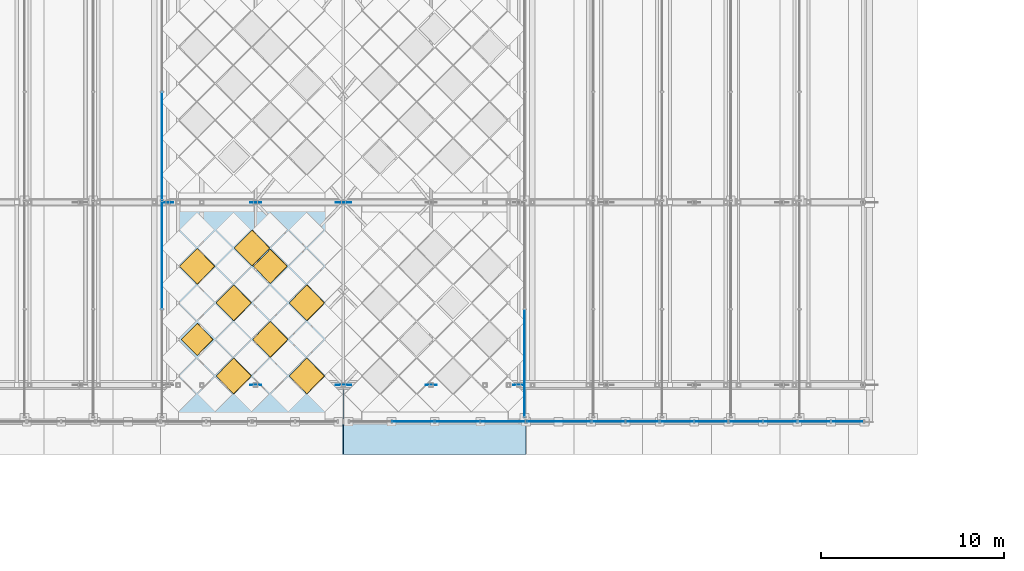
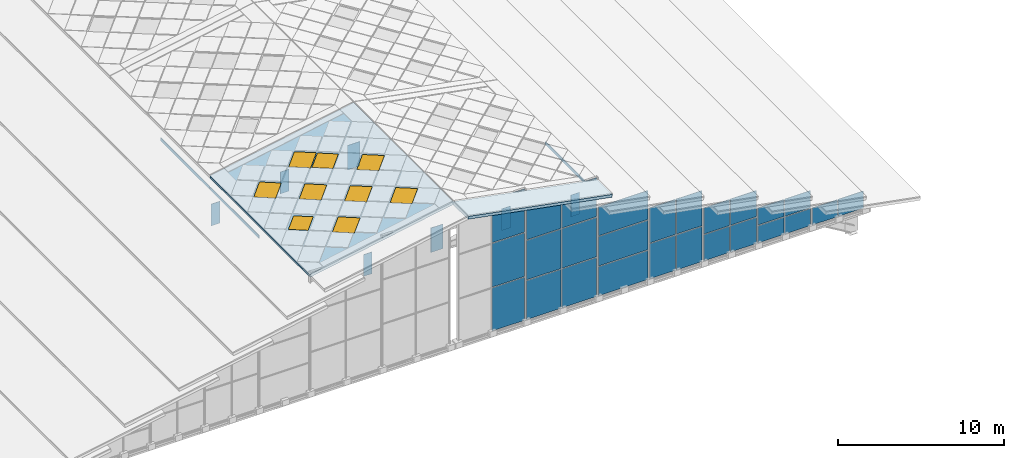
# One storey, part 86 of 117: 36 plates, 9 windows, 2 slabs, 9 openings, 9 elements without a shape of their own.
"""IFC4 building model written with IfcOpenShell, lengths in metres."""

import ifcopenshell
import ifcopenshell.guid

model = None  # the IFC model being written
_history = None  # IfcOwnerHistory: only IFC2X3 demands one
_inside = {}  # id of a spatial element -> (the spatial element, [elements in it])
_under = {}  # id of a project, library or spatial element -> (it, [spatial elements below it])
_declared = {}  # id of a project -> (the project, [libraries it declares])
_typed = {}  # id of a type object -> (the type object, [elements of that type])
_made_of = {}  # id of a material, layer set ... -> (it, [elements and type objects made of it])


def new_model(schema):
    """Start an empty IFC model of exactly this schema.

    Asked for "IFC4X3", IfcOpenShell would pick the latest addendum, in which some entities
    have other attributes; the version numbers below select the first issue.
    IFC2X3 requires an IfcOwnerHistory on every rooted entity: one is made here for all.
    """
    global model, _history
    if schema == "IFC4X3":
        model = ifcopenshell.file(schema_version=(4, 3, 0, 0))
    else:
        model = ifcopenshell.file(schema=schema)
    _inside.clear()
    _under.clear()
    _declared.clear()
    _typed.clear()
    _made_of.clear()
    _history = None
    if model.schema == "IFC2X3":
        org = make("IfcOrganization", Name="unknown")
        user = make(
            "IfcPersonAndOrganization",
            ThePerson=make("IfcPerson", FamilyName="unknown"),
            TheOrganization=org,
        )
        app = make(
            "IfcApplication",
            ApplicationDeveloper=org,
            Version="unknown",
            ApplicationFullName="unknown",
            ApplicationIdentifier="unknown",
        )
        _history = make(
            "IfcOwnerHistory",
            OwningUser=user,
            OwningApplication=app,
            ChangeAction="ADDED",
            CreationDate=0,
        )
    return model


def make(cls, **values):
    """One entity of the class cls with the attributes given. An attribute that is None is left unset."""
    return model.create_entity(
        cls, **{name: value for name, value in values.items() if value is not None}
    )


def rooted(cls, **values):
    """An entity with a GlobalId (a new one), such as an element, a storey or a relation."""
    return make(cls, GlobalId=ifcopenshell.guid.new(), OwnerHistory=_history, **values)


def si_unit(unit_type, name, prefix=None):
    """IfcSIUnit, for example si_unit("LENGTHUNIT", "METRE", prefix="MILLI")."""
    return make("IfcSIUnit", UnitType=unit_type, Prefix=prefix, Name=name)


def assignment(units):
    """IfcUnitAssignment: the units of a project."""
    return None if units is None else make("IfcUnitAssignment", Units=units)


def point(xyz):
    """IfcCartesianPoint."""
    return None if xyz is None else make("IfcCartesianPoint", Coordinates=xyz)


def direction(xyz):
    """IfcDirection."""
    return None if xyz is None else make("IfcDirection", DirectionRatios=xyz)


def frame(location, z_axis=None, x_axis=None):
    """IfcAxis2Placement3D, a coordinate frame: its origin and axes. An axis left out is left unset."""
    return make(
        "IfcAxis2Placement3D",
        Location=point(location),
        Axis=direction(z_axis),
        RefDirection=direction(x_axis),
    )


def frame_2d(location, x_axis=None):
    """IfcAxis2Placement2D, a coordinate frame in the plane: its origin and x axis."""
    return make(
        "IfcAxis2Placement2D", Location=point(location), RefDirection=direction(x_axis)
    )


def origin():
    """The frame at (0, 0, 0) with its axes left unset."""
    return frame((0.0, 0.0, 0.0))


def origin_2d():
    """The frame at (0, 0) in the plane with its x axis left unset."""
    return frame_2d((0.0, 0.0))


def place(relative_to, where):
    """IfcLocalPlacement: puts the frame where relative to a parent placement (None: the world)."""
    return make(
        "IfcLocalPlacement", PlacementRelTo=relative_to, RelativePlacement=where
    )


def context(
    kind, dimensions, precision=None, world=None, true_north=None, identifier=None
):
    """IfcGeometricRepresentationContext, for example the 3D "Model" context."""
    return make(
        "IfcGeometricRepresentationContext",
        ContextIdentifier=identifier,
        ContextType=kind,
        CoordinateSpaceDimension=dimensions,
        Precision=precision,
        WorldCoordinateSystem=world,
        TrueNorth=true_north,
    )


def subcontext(parent, identifier, kind, view, scale=None):
    """IfcGeometricRepresentationSubContext, for example "Body" below "Model"."""
    return make(
        "IfcGeometricRepresentationSubContext",
        ContextIdentifier=identifier,
        ContextType=kind,
        ParentContext=parent,
        TargetScale=scale,
        TargetView=view,
    )


def project(units=None, contexts=None):
    """IfcProject with its units and contexts."""
    return rooted(
        "IfcProject",
        Name="project",
        RepresentationContexts=contexts,
        UnitsInContext=assignment(units),
    )


def spatial(cls, under=None, at=None, **own):
    """A site, building, storey or space (cls), placed at a placement, below another one or the project."""
    s = rooted(cls, ObjectPlacement=at, **own)
    if under is not None:
        _under.setdefault(under.id(), (under, []))[1].append(s)
    return s


def polyline(points):
    """IfcPolyline through the points."""
    return make("IfcPolyline", Points=[point(p) for p in points])


def profile(cls, at=None, kind="AREA", **sizes):
    """A parametric profile (cls). Its sizes go by their IFC names, for example OverallWidth=200.0."""
    return make(cls, ProfileType=kind, Position=at, **sizes)


def rectangle(**sizes):
    """IfcRectangleProfileDef."""
    return profile("IfcRectangleProfileDef", **sizes)


def outline(outer, holes=None, kind="AREA"):
    """IfcArbitraryClosedProfileDef: a profile drawn as a closed curve; with holes, ...WithVoids."""
    if holes is None:
        return make("IfcArbitraryClosedProfileDef", ProfileType=kind, OuterCurve=outer)
    return make(
        "IfcArbitraryProfileDefWithVoids",
        ProfileType=kind,
        OuterCurve=outer,
        InnerCurves=holes,
    )


def extrude(swept, where, along, depth):
    """IfcExtrudedAreaSolid: the profile swept, set in the frame where, extruded along a direction by depth."""
    return make(
        "IfcExtrudedAreaSolid",
        SweptArea=swept,
        Position=where,
        ExtrudedDirection=direction(along),
        Depth=depth,
    )


def shape(context_of_items, identifier, shape_type, items):
    """IfcShapeRepresentation: the items that make up one representation, for example the "Body"."""
    return make(
        "IfcShapeRepresentation",
        ContextOfItems=context_of_items,
        RepresentationIdentifier=identifier,
        RepresentationType=shape_type,
        Items=items,
    )


def material(Name=None, Category=None):
    """IfcMaterial."""
    return make("IfcMaterial", Name=Name, Category=Category)


def layer(
    of_material, thickness, ventilated=None, Name=None, Category=None, Priority=None
):
    """IfcMaterialLayer: one layer of a wall or slab, of a material (None: an air gap)."""
    return make(
        "IfcMaterialLayer",
        Material=of_material,
        LayerThickness=thickness,
        IsVentilated=ventilated,
        Name=Name,
        Category=Category,
        Priority=Priority,
    )


def layer_set(layers, Name=None):
    """IfcMaterialLayerSet."""
    return make("IfcMaterialLayerSet", MaterialLayers=layers, LayerSetName=Name)


def made_of(thing, what):
    """Note that an element or type object is made of a material, layer set ...; save() writes the relation."""
    if what is not None:
        _made_of.setdefault(what.id(), (what, []))[1].append(thing)
    return thing


def type_object(cls, material=None, **own):
    """A type object (cls), such as IfcWallType, which elements share."""
    return made_of(rooted(cls, **own), material)


def element(
    cls,
    number,
    at=None,
    inside=None,
    cuts=None,
    type_object=None,
    material=None,
    context=None,
    identifier="Body",
    shape_type=None,
    held_by="IfcProductDefinitionShape",
    body=None,
    shapes=None,
    **own,
):
    """One element of the class cls, such as IfcWall. Its Tag is "e" and its number.

    at: its placement. inside: the storey or other place that contains it. cuts: it is an
    opening in that element (IfcRelVoidsElement). A single representation is given by context,
    identifier, shape_type and body (its items); several are given by shapes. held_by: the class
    of the entity that holds the representations. save() writes the other relations.
    """
    e = rooted(cls, Tag="e%d" % number, ObjectPlacement=at, **own)
    if body is not None:
        shapes = [shape(context, identifier, shape_type, body)]
    if shapes is not None:
        e.Representation = make(held_by, Representations=shapes)
    if inside is not None:
        _inside.setdefault(inside.id(), (inside, []))[1].append(e)
    if cuts is not None:
        rooted(
            "IfcRelVoidsElement", RelatingBuildingElement=cuts, RelatedOpeningElement=e
        )
    if type_object is not None:
        _typed.setdefault(type_object.id(), (type_object, []))[1].append(e)
    return made_of(e, material)


def fill(opening, filler):
    """IfcRelFillsElement: the door or window that sits in an opening."""
    return rooted(
        "IfcRelFillsElement",
        RelatingOpeningElement=opening,
        RelatedBuildingElement=filler,
    )


def aggregate(whole, parts):
    """IfcRelAggregates: a whole, such as a stair, and the parts it consists of."""
    return rooted("IfcRelAggregates", RelatingObject=whole, RelatedObjects=parts)


def save(model, path):
    """Write the relations noted so far, then the file.

    IfcRelAggregates (storeys below a building ...), IfcRelContainedInSpatialStructure (elements
    in a storey), IfcRelDefinesByType, IfcRelAssociatesMaterial and IfcRelDeclares: one each for
    every whole, place, type object, material and project.
    """
    for whole, parts in _under.values():
        aggregate(whole, parts)
    for where, things in _inside.values():
        rooted(
            "IfcRelContainedInSpatialStructure",
            RelatedElements=things,
            RelatingStructure=where,
        )
    for kind, things in _typed.values():
        rooted("IfcRelDefinesByType", RelatedObjects=things, RelatingType=kind)
    for what, things in _made_of.values():
        rooted("IfcRelAssociatesMaterial", RelatedObjects=things, RelatingMaterial=what)
    for by, libraries in _declared.values():
        rooted("IfcRelDeclares", RelatingContext=by, RelatedDefinitions=libraries)
    model.write(path)


model = new_model("IFC4")

# Units and contexts
model_context = context("Model", 3, precision=1e-05, world=origin(), true_north=direction((0.0, 1.0)))
body_context = subcontext(model_context, "Body", "Model", "MODEL_VIEW")
ifc_project = project(units=[si_unit("LENGTHUNIT", "METRE"), si_unit("AREAUNIT", "SQUARE_METRE"), si_unit("VOLUMEUNIT", "CUBIC_METRE"), si_unit("PLANEANGLEUNIT", "RADIAN"), si_unit("MASSUNIT", "GRAM", prefix="KILO")], contexts=[model_context])

# Site, building, storey
site_placement = place(None, origin())
site = spatial("IfcSite", under=ifc_project, at=site_placement, CompositionType="ELEMENT")
building_placement = place(site_placement, origin())
building = spatial("IfcBuilding", under=site, at=building_placement, Name="Merenkruunu Market Hall", CompositionType="ELEMENT")
storey_placement = place(building_placement, frame((0.0, 0.0, 22.800048828125)))
storey = spatial("IfcBuildingStorey", under=building, at=storey_placement, Name="RF", CompositionType="ELEMENT", Elevation=22.800048828125)

# Curtain wall, plates
ifc_material_1 = material(Name="Powder-coated aluminium", Category="aluminium")
curtain_wall_type_1 = type_object("IfcCurtainWallType", Name="Glazed Curtain Wall CW18", PredefinedType="USERDEFINED", material=ifc_material_1)
curtain_wall_1_placement = place(storey_placement, origin())
curtain_wall_1 = element("IfcCurtainWall", 1, at=curtain_wall_1_placement, inside=storey, type_object=curtain_wall_type_1, Name="CW-RF-CWM03-044", ObjectType="GLAZED_FACADE", PredefinedType="USERDEFINED")
ifc_material_2 = material(Name="Triple low-E insulated glass", Category="glass")
ifc_layer_1 = layer(ifc_material_2, 0.035888671875)
ifc_layer_set_1 = layer_set([ifc_layer_1], Name="Triple low-E insulated glass")
plate_type_1 = type_object("IfcPlateType", Name="Curtain Wall Glazing Panel CWP05", PredefinedType="CURTAIN_PANEL", material=ifc_layer_set_1)
plate_1_placement = place(storey_placement, frame((32.60498046875, 15.60009765625, -8.630126953125), z_axis=(0.0, 0.0, 1.0), x_axis=(-1.0, 0.0, 0.0)))
plate_1 = element("IfcPlate", 2, at=plate_1_placement, type_object=plate_type_1, Name="CW18 panel 1.1", PredefinedType="CURTAIN_PANEL", context=body_context, shape_type="SweptSolid", body=[
    extrude(rectangle(XDim=2.27001953125, YDim=0.035888671875, at=origin_2d()), origin(), (0.0, 0.0, 1.0), 3.1669921875),
])
plate_2_placement = place(storey_placement, frame((32.60498046875, 15.60009765625, -5.40283203125), z_axis=(0.0, 0.0, 1.0), x_axis=(-1.0, 0.0, 0.0)))
plate_2 = element("IfcPlate", 3, at=plate_2_placement, type_object=plate_type_1, Name="CW18 panel 1.2", PredefinedType="CURTAIN_PANEL", context=body_context, shape_type="SweptSolid", body=[
    extrude(rectangle(XDim=2.27001953125, YDim=0.035888671875, at=origin_2d()), origin(), (0.0, 0.0, 1.0), 3.196044921875),
])
plate_3_placement = place(storey_placement, frame((32.60498046875, 15.60009765625, -2.14697265625), z_axis=(0.0, 0.0, 1.0), x_axis=(-1.0, 0.0, 0.0)))
plate_3 = element("IfcPlate", 4, at=plate_3_placement, type_object=plate_type_1, Name="CW18 panel 1.3", PredefinedType="CURTAIN_PANEL", context=body_context, shape_type="SweptSolid", body=[
    extrude(rectangle(XDim=2.27001953125, YDim=0.035888671875, at=origin_2d()), origin(), (0.0, 0.0, 1.0), 3.1669921875),
])
aggregate(curtain_wall_1, [plate_1, plate_2, plate_3])

curtain_wall_2_placement = place(storey_placement, origin())
curtain_wall_2 = element("IfcCurtainWall", 5, at=curtain_wall_2_placement, inside=storey, type_object=curtain_wall_type_1, Name="CW-RF-CWM03-045", ObjectType="GLAZED_FACADE", PredefinedType="USERDEFINED")
plate_4_placement = place(storey_placement, frame((37.534912109375, 15.60009765625, -8.630126953125), z_axis=(0.0, 0.0, 1.0), x_axis=(-1.0, 0.0, 0.0)))
plate_4 = element("IfcPlate", 6, at=plate_4_placement, type_object=plate_type_1, Name="CW18 panel 1.1", PredefinedType="CURTAIN_PANEL", context=body_context, shape_type="SweptSolid", body=[
    extrude(rectangle(XDim=2.409912109375, YDim=0.035888671875, at=origin_2d()), origin(), (0.0, 0.0, 1.0), 2.85693359375),
])
plate_5_placement = place(storey_placement, frame((37.534912109375, 15.60009765625, -5.712890625), z_axis=(0.0, 0.0, 1.0), x_axis=(-1.0, 0.0, 0.0)))
plate_5 = element("IfcPlate", 7, at=plate_5_placement, type_object=plate_type_1, Name="CW18 panel 1.2", PredefinedType="CURTAIN_PANEL", context=body_context, shape_type="SweptSolid", body=[
    extrude(rectangle(XDim=2.409912109375, YDim=0.035888671875, at=origin_2d()), origin(), (0.0, 0.0, 1.0), 2.885986328125),
])
plate_6_placement = place(storey_placement, frame((37.534912109375, 15.60009765625, -2.76708984375), z_axis=(0.0, 0.0, 1.0), x_axis=(-1.0, 0.0, 0.0)))
plate_6 = element("IfcPlate", 8, at=plate_6_placement, type_object=plate_type_1, Name="CW18 panel 1.3", PredefinedType="CURTAIN_PANEL", context=body_context, shape_type="SweptSolid", body=[
    extrude(rectangle(XDim=2.409912109375, YDim=0.035888671875, at=origin_2d()), origin(), (0.0, 0.0, 1.0), 2.85693359375),
])
plate_7_placement = place(storey_placement, frame((35.06494140625, 15.60009765625, -8.630126953125), z_axis=(0.0, 0.0, 1.0), x_axis=(-1.0, 0.0, 0.0)))
plate_7 = element("IfcPlate", 9, at=plate_7_placement, type_object=plate_type_1, Name="CW18 panel 2.1", PredefinedType="CURTAIN_PANEL", context=body_context, shape_type="SweptSolid", body=[
    extrude(rectangle(XDim=2.409912109375, YDim=0.035888671875, at=origin_2d()), origin(), (0.0, 0.0, 1.0), 2.85693359375),
])
plate_8_placement = place(storey_placement, frame((35.06494140625, 15.60009765625, -5.712890625), z_axis=(0.0, 0.0, 1.0), x_axis=(-1.0, 0.0, 0.0)))
plate_8 = element("IfcPlate", 10, at=plate_8_placement, type_object=plate_type_1, Name="CW18 panel 2.2", PredefinedType="CURTAIN_PANEL", context=body_context, shape_type="SweptSolid", body=[
    extrude(rectangle(XDim=2.409912109375, YDim=0.035888671875, at=origin_2d()), origin(), (0.0, 0.0, 1.0), 2.885986328125),
])
plate_9_placement = place(storey_placement, frame((35.06494140625, 15.60009765625, -2.76708984375), z_axis=(0.0, 0.0, 1.0), x_axis=(-1.0, 0.0, 0.0)))
plate_9 = element("IfcPlate", 11, at=plate_9_placement, type_object=plate_type_1, Name="CW18 panel 2.3", PredefinedType="CURTAIN_PANEL", context=body_context, shape_type="SweptSolid", body=[
    extrude(rectangle(XDim=2.409912109375, YDim=0.035888671875, at=origin_2d()), origin(), (0.0, 0.0, 1.0), 2.85693359375),
])
aggregate(curtain_wall_2, [plate_4, plate_5, plate_6, plate_7, plate_8, plate_9])

curtain_wall_3_placement = place(storey_placement, origin())
curtain_wall_3 = element("IfcCurtainWall", 12, at=curtain_wall_3_placement, inside=storey, type_object=curtain_wall_type_1, Name="CW-RF-CWM03-046", ObjectType="GLAZED_FACADE", PredefinedType="USERDEFINED")
plate_10_placement = place(storey_placement, frame((40.580078125, 15.60009765625, -8.630126953125), z_axis=(0.0, 0.0, 1.0), x_axis=(-1.0, 0.0, 0.0)))
plate_10 = element("IfcPlate", 13, at=plate_10_placement, type_object=plate_type_1, Name="CW18 panel 1.1", PredefinedType="CURTAIN_PANEL", context=body_context, shape_type="SweptSolid", body=[
    extrude(rectangle(XDim=3.43994140625, YDim=0.035888671875, at=origin_2d()), origin(), (0.0, 0.0, 1.0), 2.126953125),
])
plate_11_placement = place(storey_placement, frame((40.580078125, 15.60009765625, -6.44287109375), z_axis=(0.0, 0.0, 1.0), x_axis=(-1.0, 0.0, 0.0)))
plate_11 = element("IfcPlate", 14, at=plate_11_placement, type_object=plate_type_1, Name="CW18 panel 1.2", PredefinedType="CURTAIN_PANEL", context=body_context, shape_type="SweptSolid", body=[
    extrude(rectangle(XDim=3.43994140625, YDim=0.035888671875, at=origin_2d()), origin(), (0.0, 0.0, 1.0), 2.156005859375),
])
plate_12_placement = place(storey_placement, frame((40.580078125, 15.60009765625, -4.22705078125), z_axis=(0.0, 0.0, 1.0), x_axis=(-1.0, 0.0, 0.0)))
plate_12 = element("IfcPlate", 15, at=plate_12_placement, type_object=plate_type_1, Name="CW18 panel 1.3", PredefinedType="CURTAIN_PANEL", context=body_context, shape_type="SweptSolid", body=[
    extrude(rectangle(XDim=3.43994140625, YDim=0.035888671875, at=origin_2d()), origin(), (0.0, 0.0, 1.0), 2.126953125),
])
aggregate(curtain_wall_3, [plate_10, plate_11, plate_12])

curtain_wall_type_2 = type_object("IfcCurtainWallType", Name="Glazed Curtain Wall CW17", PredefinedType="USERDEFINED", material=ifc_material_1)
curtain_wall_4_placement = place(storey_placement, origin())
curtain_wall_4 = element("IfcCurtainWall", 16, at=curtain_wall_4_placement, inside=storey, type_object=curtain_wall_type_2, Name="CW-RF-CWM03-047", ObjectType="GLAZED_FACADE", PredefinedType="USERDEFINED")
plate_13_placement = place(storey_placement, frame((45.1650390625, 15.60009765625, -8.6298828125), z_axis=(0.0, 0.0, 1.0), x_axis=(-1.0, 0.0, 0.0)))
plate_13 = element("IfcPlate", 17, at=plate_13_placement, type_object=plate_type_1, Name="CW17 panel 1.1", PredefinedType="CURTAIN_PANEL", context=body_context, shape_type="SweptSolid", body=[
    extrude(rectangle(XDim=1.7900390625, YDim=0.035888671875, at=origin_2d()), origin(), (0.0, 0.0, 1.0), 2.574951171875),
])
plate_14_placement = place(storey_placement, frame((45.1650390625, 15.60009765625, -5.9951171875), z_axis=(0.0, 0.0, 1.0), x_axis=(-1.0, 0.0, 0.0)))
plate_14 = element("IfcPlate", 18, at=plate_14_placement, type_object=plate_type_1, Name="CW17 panel 1.2", PredefinedType="CURTAIN_PANEL", context=body_context, shape_type="SweptSolid", body=[
    extrude(rectangle(XDim=1.7900390625, YDim=0.035888671875, at=origin_2d()), origin(), (0.0, 0.0, 1.0), 2.574951171875),
])
plate_15_placement = place(storey_placement, frame((43.31494140625, 15.60009765625, -8.6298828125), z_axis=(0.0, 0.0, 1.0), x_axis=(-1.0, 0.0, 0.0)))
plate_15 = element("IfcPlate", 19, at=plate_15_placement, type_object=plate_type_1, Name="CW17 panel 2.1", PredefinedType="CURTAIN_PANEL", context=body_context, shape_type="SweptSolid", body=[
    extrude(rectangle(XDim=1.7900390625, YDim=0.035888671875, at=origin_2d()), origin(), (0.0, 0.0, 1.0), 2.574951171875),
])
plate_16_placement = place(storey_placement, frame((43.31494140625, 15.60009765625, -5.9951171875), z_axis=(0.0, 0.0, 1.0), x_axis=(-1.0, 0.0, 0.0)))
plate_16 = element("IfcPlate", 20, at=plate_16_placement, type_object=plate_type_1, Name="CW17 panel 2.2", PredefinedType="CURTAIN_PANEL", context=body_context, shape_type="SweptSolid", body=[
    extrude(rectangle(XDim=1.7900390625, YDim=0.035888671875, at=origin_2d()), origin(), (0.0, 0.0, 1.0), 2.574951171875),
])
aggregate(curtain_wall_4, [plate_13, plate_14, plate_15, plate_16])

curtain_wall_5_placement = place(storey_placement, origin())
curtain_wall_5 = element("IfcCurtainWall", 21, at=curtain_wall_5_placement, inside=storey, type_object=curtain_wall_type_2, Name="CW-RF-CWM03-048", ObjectType="GLAZED_FACADE", PredefinedType="USERDEFINED")
plate_17_placement = place(storey_placement, frame((48.925048828125, 15.60009765625, -8.630126953125), z_axis=(0.0, 0.0, 1.0), x_axis=(-1.0, 0.0, 0.0)))
plate_17 = element("IfcPlate", 22, at=plate_17_placement, type_object=plate_type_1, Name="CW17 panel 1.1", PredefinedType="CURTAIN_PANEL", context=body_context, shape_type="SweptSolid", body=[
    extrude(rectangle(XDim=1.7900390625, YDim=0.035888671875, at=origin_2d()), origin(), (0.0, 0.0, 1.0), 1.9150390625),
])
plate_18_placement = place(storey_placement, frame((48.925048828125, 15.60009765625, -6.655029296875), z_axis=(0.0, 0.0, 1.0), x_axis=(-1.0, 0.0, 0.0)))
plate_18 = element("IfcPlate", 23, at=plate_18_placement, type_object=plate_type_1, Name="CW17 panel 1.2", PredefinedType="CURTAIN_PANEL", context=body_context, shape_type="SweptSolid", body=[
    extrude(rectangle(XDim=1.7900390625, YDim=0.035888671875, at=origin_2d()), origin(), (0.0, 0.0, 1.0), 1.9150390625),
])
plate_19_placement = place(storey_placement, frame((47.074951171875, 15.60009765625, -8.630126953125), z_axis=(0.0, 0.0, 1.0), x_axis=(-1.0, 0.0, 0.0)))
plate_19 = element("IfcPlate", 24, at=plate_19_placement, type_object=plate_type_1, Name="CW17 panel 2.1", PredefinedType="CURTAIN_PANEL", context=body_context, shape_type="SweptSolid", body=[
    extrude(rectangle(XDim=1.7900390625, YDim=0.035888671875, at=origin_2d()), origin(), (0.0, 0.0, 1.0), 1.9150390625),
])
plate_20_placement = place(storey_placement, frame((47.074951171875, 15.60009765625, -6.655029296875), z_axis=(0.0, 0.0, 1.0), x_axis=(-1.0, 0.0, 0.0)))
plate_20 = element("IfcPlate", 25, at=plate_20_placement, type_object=plate_type_1, Name="CW17 panel 2.2", PredefinedType="CURTAIN_PANEL", context=body_context, shape_type="SweptSolid", body=[
    extrude(rectangle(XDim=1.7900390625, YDim=0.035888671875, at=origin_2d()), origin(), (0.0, 0.0, 1.0), 1.9150390625),
])
aggregate(curtain_wall_5, [plate_17, plate_18, plate_19, plate_20])

curtain_wall_6_placement = place(storey_placement, origin())
curtain_wall_6 = element("IfcCurtainWall", 26, at=curtain_wall_6_placement, inside=storey, type_object=curtain_wall_type_2, Name="CW-RF-CWM03-049", ObjectType="GLAZED_FACADE", PredefinedType="USERDEFINED")
plate_21_placement = place(storey_placement, frame((52.68505859375, 15.60009765625, -8.6298828125), z_axis=(0.0, 0.0, 1.0), x_axis=(-1.0, 0.0, 0.0)))
plate_21 = element("IfcPlate", 27, at=plate_21_placement, type_object=plate_type_1, Name="CW17 panel 1.1", PredefinedType="CURTAIN_PANEL", context=body_context, shape_type="SweptSolid", body=[
    extrude(rectangle(XDim=1.7900390625, YDim=0.035888671875, at=origin_2d()), origin(), (0.0, 0.0, 1.0), 1.2548828125),
])
plate_22_placement = place(storey_placement, frame((52.68505859375, 15.60009765625, -7.31494140625), z_axis=(0.0, 0.0, 1.0), x_axis=(-1.0, 0.0, 0.0)))
plate_22 = element("IfcPlate", 28, at=plate_22_placement, type_object=plate_type_1, Name="CW17 panel 1.2", PredefinedType="CURTAIN_PANEL", context=body_context, shape_type="SweptSolid", body=[
    extrude(rectangle(XDim=1.7900390625, YDim=0.035888671875, at=origin_2d()), origin(), (0.0, 0.0, 1.0), 1.2548828125),
])
plate_23_placement = place(storey_placement, frame((50.8349609375, 15.60009765625, -8.6298828125), z_axis=(0.0, 0.0, 1.0), x_axis=(-1.0, 0.0, 0.0)))
plate_23 = element("IfcPlate", 29, at=plate_23_placement, type_object=plate_type_1, Name="CW17 panel 2.1", PredefinedType="CURTAIN_PANEL", context=body_context, shape_type="SweptSolid", body=[
    extrude(rectangle(XDim=1.7900390625, YDim=0.035888671875, at=origin_2d()), origin(), (0.0, 0.0, 1.0), 1.2548828125),
])
plate_24_placement = place(storey_placement, frame((50.8349609375, 15.60009765625, -7.31494140625), z_axis=(0.0, 0.0, 1.0), x_axis=(-1.0, 0.0, 0.0)))
plate_24 = element("IfcPlate", 30, at=plate_24_placement, type_object=plate_type_1, Name="CW17 panel 2.2", PredefinedType="CURTAIN_PANEL", context=body_context, shape_type="SweptSolid", body=[
    extrude(rectangle(XDim=1.7900390625, YDim=0.035888671875, at=origin_2d()), origin(), (0.0, 0.0, 1.0), 1.2548828125),
])
aggregate(curtain_wall_6, [plate_21, plate_22, plate_23, plate_24])

curtain_wall_type_3 = type_object("IfcCurtainWallType", Name="Clerestory Curtain Band CL03", PredefinedType="USERDEFINED", material=ifc_material_1)
curtain_wall_7_placement = place(storey_placement, origin())
curtain_wall_7 = element("IfcCurtainWall", 31, at=curtain_wall_7_placement, inside=storey, type_object=curtain_wall_type_3, Name="CW-RF-CWM03-050", ObjectType="CLERESTORY_BAND", PredefinedType="USERDEFINED")
plate_25_placement = place(storey_placement, frame((56.385009765625, 15.60009765625, -8.630126953125), z_axis=(0.0, 0.0, 1.0), x_axis=(-1.0, 0.0, 0.0)))
plate_25 = element("IfcPlate", 32, at=plate_25_placement, type_object=plate_type_1, Name="CL03 panel 1.1", PredefinedType="CURTAIN_PANEL", context=body_context, shape_type="SweptSolid", body=[
    extrude(rectangle(XDim=1.75, YDim=0.035888671875, at=origin_2d()), origin(), (0.0, 0.0, 1.0), 1.25),
])
plate_26_placement = place(storey_placement, frame((54.574951171875, 15.60009765625, -8.630126953125), z_axis=(0.0, 0.0, 1.0), x_axis=(-1.0, 0.0, 0.0)))
plate_26 = element("IfcPlate", 33, at=plate_26_placement, type_object=plate_type_1, Name="CL03 panel 2.1", PredefinedType="CURTAIN_PANEL", context=body_context, shape_type="SweptSolid", body=[
    extrude(rectangle(XDim=1.75, YDim=0.035888671875, at=origin_2d()), origin(), (0.0, 0.0, 1.0), 1.25),
])
aggregate(curtain_wall_7, [plate_25, plate_26])

curtain_wall_type_4 = type_object("IfcCurtainWallType", Name="Clerestory Curtain Band CL05", PredefinedType="USERDEFINED", material=ifc_material_1)
curtain_wall_8_placement = place(storey_placement, origin())
curtain_wall_8 = element("IfcCurtainWall", 34, at=curtain_wall_8_placement, inside=storey, type_object=curtain_wall_type_4, Name="CW-RF-CWM04-113", ObjectType="CLERESTORY_BAND", PredefinedType="USERDEFINED")
ifc_layer_2 = layer(ifc_material_2, 0.035888671875)
ifc_layer_set_2 = layer_set([ifc_layer_2], Name="Triple low-E insulated glass")
plate_type_2 = type_object("IfcPlateType", Name="Curtain Wall Glazing Panel CWP08", PredefinedType="CURTAIN_PANEL", material=ifc_layer_set_2)
plate_27_placement = place(storey_placement, frame((18.8798828125, 24.72509765625, -1.18212890625), z_axis=(0.0, 0.0, 1.0), x_axis=(0.0, 1.0, 0.0)))
plate_27 = element("IfcPlate", 35, at=plate_27_placement, type_object=plate_type_2, Name="CL05 panel 2.1", PredefinedType="CURTAIN_PANEL", context=body_context, shape_type="SweptSolid", body=[
    extrude(rectangle(XDim=5.8798828125, YDim=0.035888671875, at=origin_2d()), origin(), (0.0, 0.0, 1.0), 0.22802734375),
])
plate_28_placement = place(storey_placement, frame((18.8798828125, 30.675048828125, -1.18212890625), z_axis=(0.0, 0.0, 1.0), x_axis=(0.0, 1.0, 0.0)))
plate_28 = element("IfcPlate", 36, at=plate_28_placement, type_object=plate_type_2, Name="CL05 panel 3.1", PredefinedType="CURTAIN_PANEL", context=body_context, shape_type="SweptSolid", body=[
    extrude(rectangle(XDim=5.8798828125, YDim=0.035888671875, at=origin_2d()), origin(), (0.0, 0.0, 1.0), 0.22802734375),
])
aggregate(curtain_wall_8, [plate_27, plate_28])

# Curtain wall, plate
curtain_wall_9_placement = place(storey_placement, origin())
curtain_wall_9 = element("IfcCurtainWall", 37, at=curtain_wall_9_placement, inside=storey, type_object=curtain_wall_type_4, Name="CW-RF-CWM04-114", ObjectType="CLERESTORY_BAND", PredefinedType="USERDEFINED")
plate_29_placement = place(storey_placement, frame((38.719970703125, 18.79248046875, -1.18212890625), z_axis=(0.0, 0.0, 1.0), x_axis=(0.0, -1.0, 0.0)))
plate_29 = element("IfcPlate", 38, at=plate_29_placement, type_object=plate_type_2, Name="CL05 panel 4.1", PredefinedType="CURTAIN_PANEL", context=body_context, shape_type="SweptSolid", body=[
    extrude(rectangle(XDim=5.844970703125, YDim=0.035888671875, at=origin_2d()), origin(), (0.0, 0.0, 1.0), 0.22802734375),
])
aggregate(curtain_wall_9, [plate_29])

# Slab, openings, windows
ifc_material_3 = material(Name="High-albedo white roof Steel S355ML", Category="steel")
ifc_layer_3 = layer(ifc_material_3, 0.199951171875)
ifc_layer_set_3 = layer_set([ifc_layer_3], Name="High-albedo white roof Steel S355ML")
slab_type = type_object("IfcSlabType", Name="Sloped Or Flat Roof Deck RS01", PredefinedType="ROOF", material=ifc_layer_set_3)
slab_1_placement = place(storey_placement, frame((18.800048828125, 15.60009765625, -0.080078125), z_axis=(-0.184775267092, 0.0, 0.98278079991), x_axis=(0.98278079991, 0.0, 0.184775267092)))
slab_1 = element("IfcSlab", 39, at=slab_1_placement, inside=storey, type_object=slab_type, Name="SL-ROOF-V1-CROWN-W-01", PredefinedType="ROOF", context=body_context, shape_type="SweptSolid", body=[
    extrude(outline(polyline([(0.0, 0.0), (10.175208959027184, 0.0), (10.175208959027184, 12.0), (0.0, 12.0), (0.0, 0.0)])), origin(), (0.0, 0.0, -1.0), 0.199951171875),
])
opening_1_placement = place(slab_1_placement, frame((8.14013671875, 2.5, 0.0), z_axis=(0.0, 0.0, 1.0), x_axis=(0.707106781187, 0.707106781187, 0.0)))
opening_1 = element("IfcOpeningElement", 40, at=opening_1_placement, cuts=slab_1, Name="Opening SK01", PredefinedType="OPENING", context=body_context, shape_type="SweptSolid", body=[
    extrude(rectangle(XDim=1.3798828125, YDim=1.3798828125, at=origin_2d()), frame((0.0, 0.0, 0.014892578125), z_axis=(0.0, 0.0, -1.0), x_axis=(1.0, 0.0, 0.0)), (0.0, 0.0, 1.0), 0.229736328125),
])
opening_2_placement = place(slab_1_placement, frame((8.14013671875, 6.5, 0.0), z_axis=(0.0, 0.0, 1.0), x_axis=(0.707106781187, 0.707106781187, 0.0)))
opening_2 = element("IfcOpeningElement", 41, at=opening_2_placement, cuts=slab_1, Name="Opening SK01", PredefinedType="OPENING", context=body_context, shape_type="SweptSolid", body=[
    extrude(rectangle(XDim=1.3798828125, YDim=1.3798828125, at=origin_2d()), frame((0.0, 0.0, 0.014892578125), z_axis=(0.0, 0.0, -1.0), x_axis=(1.0, 0.0, 0.0)), (0.0, 0.0, 1.0), 0.229736328125),
])
opening_3_placement = place(slab_1_placement, frame((6.10498046875, 4.5, -0.000244140625), z_axis=(0.0, 0.0, 1.0), x_axis=(0.707106781187, 0.707106781187, 0.0)))
opening_3 = element("IfcOpeningElement", 42, at=opening_3_placement, cuts=slab_1, Name="Opening SK01", PredefinedType="OPENING", context=body_context, shape_type="SweptSolid", body=[
    extrude(rectangle(XDim=1.3798828125, YDim=1.3798828125, at=origin_2d()), frame((0.0, 0.0, 0.014892578125), z_axis=(0.0, 0.0, -1.0), x_axis=(1.0, 0.0, 0.0)), (0.0, 0.0, 1.0), 0.229736328125),
])
opening_4_placement = place(slab_1_placement, frame((6.10498046875, 8.5, -0.000244140625), z_axis=(0.0, 0.0, 1.0), x_axis=(0.707106781187, 0.707106781187, 0.0)))
opening_4 = element("IfcOpeningElement", 43, at=opening_4_placement, cuts=slab_1, Name="Opening SK02", PredefinedType="OPENING", context=body_context, shape_type="SweptSolid", body=[
    extrude(rectangle(XDim=1.320068359375, YDim=1.320068359375, at=origin_2d()), frame((0.0, 0.0, 0.014892578125), z_axis=(0.0, 0.0, -1.0), x_axis=(1.0, 0.0, 0.0)), (0.0, 0.0, 1.0), 0.229736328125),
])
opening_5_placement = place(slab_1_placement, frame((5.087646484375, 9.5, 0.0), z_axis=(0.0, 0.0, 1.0), x_axis=(0.707106781187, 0.707106781187, 0.0)))
opening_5 = element("IfcOpeningElement", 44, at=opening_5_placement, cuts=slab_1, Name="Opening SK01", PredefinedType="OPENING", context=body_context, shape_type="SweptSolid", body=[
    extrude(rectangle(XDim=1.3798828125, YDim=1.3798828125, at=origin_2d()), frame((0.0, 0.0, 0.014892578125), z_axis=(0.0, 0.0, -1.0), x_axis=(1.0, 0.0, 0.0)), (0.0, 0.0, 1.0), 0.229736328125),
])
opening_6_placement = place(slab_1_placement, frame((4.070068359375, 2.5, 0.0), z_axis=(0.0, 0.0, 1.0), x_axis=(0.707106781187, 0.707106781187, 0.0)))
opening_6 = element("IfcOpeningElement", 45, at=opening_6_placement, cuts=slab_1, Name="Opening SK01", PredefinedType="OPENING", context=body_context, shape_type="SweptSolid", body=[
    extrude(rectangle(XDim=1.3798828125, YDim=1.3798828125, at=origin_2d()), frame((0.0, 0.0, 0.014892578125), z_axis=(0.0, 0.0, -1.0), x_axis=(1.0, 0.0, 0.0)), (0.0, 0.0, 1.0), 0.229736328125),
])
opening_7_placement = place(slab_1_placement, frame((4.070068359375, 6.5, 0.0), z_axis=(0.0, 0.0, 1.0), x_axis=(0.707106781187, 0.707106781187, 0.0)))
opening_7 = element("IfcOpeningElement", 46, at=opening_7_placement, cuts=slab_1, Name="Opening SK01", PredefinedType="OPENING", context=body_context, shape_type="SweptSolid", body=[
    extrude(rectangle(XDim=1.3798828125, YDim=1.3798828125, at=origin_2d()), frame((0.0, 0.0, 0.014892578125), z_axis=(0.0, 0.0, -1.0), x_axis=(1.0, 0.0, 0.0)), (0.0, 0.0, 1.0), 0.229736328125),
])
opening_8_placement = place(slab_1_placement, frame((2.034912109375, 4.5, 0.0), z_axis=(0.0, 0.0, 1.0), x_axis=(0.707106781187, 0.707106781187, 0.0)))
opening_8 = element("IfcOpeningElement", 47, at=opening_8_placement, cuts=slab_1, Name="Opening SK03", PredefinedType="OPENING", context=body_context, shape_type="SweptSolid", body=[
    extrude(rectangle(XDim=1.239990234375, YDim=1.239990234375, at=origin_2d()), frame((0.0, 0.0, 0.014892578125), z_axis=(0.0, 0.0, -1.0), x_axis=(1.0, 0.0, 0.0)), (0.0, 0.0, 1.0), 0.229736328125),
])
opening_9_placement = place(slab_1_placement, frame((2.034912109375, 8.5, 0.0), z_axis=(0.0, 0.0, 1.0), x_axis=(0.707106781187, 0.707106781187, 0.0)))
opening_9 = element("IfcOpeningElement", 48, at=opening_9_placement, cuts=slab_1, Name="Opening SK01", PredefinedType="OPENING", context=body_context, shape_type="SweptSolid", body=[
    extrude(rectangle(XDim=1.3798828125, YDim=1.3798828125, at=origin_2d()), frame((0.0, 0.0, 0.014892578125), z_axis=(0.0, 0.0, -1.0), x_axis=(1.0, 0.0, 0.0)), (0.0, 0.0, 1.0), 0.229736328125),
])
ifc_material_4 = material(Name="Diamond skylight blue triple glass", Category="glass")
ifc_layer_4 = layer(ifc_material_4, 0.094970703125)
ifc_layer_set_4 = layer_set([ifc_layer_4], Name="Diamond skylight blue triple glass")
window_type_1 = type_object("IfcWindowType", Name="Diamond Roof Skylight SK01", PartitioningType="SINGLE_PANEL", PredefinedType="SKYLIGHT", material=ifc_layer_set_4)
window_1_placement = place(opening_1_placement, origin())
window_1 = element("IfcWindow", 49, at=window_1_placement, inside=storey, type_object=window_type_1, Name="SKY-CROWN-001", OverallHeight=1.3798828125, OverallWidth=1.3798828125, PartitioningType="SINGLE_PANEL", PredefinedType="SKYLIGHT", context=body_context, shape_type="SweptSolid", body=[
    extrude(rectangle(XDim=1.3798828125, YDim=1.3798828125, at=origin_2d()), frame((0.0, 0.0, 0.0), z_axis=(0.0, 0.0, -1.0), x_axis=(1.0, 0.0, 0.0)), (0.0, 0.0, 1.0), 0.094970703125),
])
fill(opening_1, window_1)
window_2_placement = place(opening_2_placement, origin())
window_2 = element("IfcWindow", 50, at=window_2_placement, inside=storey, type_object=window_type_1, Name="SKY-CROWN-002", OverallHeight=1.3798828125, OverallWidth=1.3798828125, PartitioningType="SINGLE_PANEL", PredefinedType="SKYLIGHT", context=body_context, shape_type="SweptSolid", body=[
    extrude(rectangle(XDim=1.3798828125, YDim=1.3798828125, at=origin_2d()), frame((0.0, 0.0, 0.0), z_axis=(0.0, 0.0, -1.0), x_axis=(1.0, 0.0, 0.0)), (0.0, 0.0, 1.0), 0.094970703125),
])
fill(opening_2, window_2)
window_3_placement = place(opening_3_placement, origin())
window_3 = element("IfcWindow", 51, at=window_3_placement, inside=storey, type_object=window_type_1, Name="SKY-CROWN-003", OverallHeight=1.3798828125, OverallWidth=1.3798828125, PartitioningType="SINGLE_PANEL", PredefinedType="SKYLIGHT", context=body_context, shape_type="SweptSolid", body=[
    extrude(rectangle(XDim=1.3798828125, YDim=1.3798828125, at=origin_2d()), frame((0.0, 0.0, 0.0), z_axis=(0.0, 0.0, -1.0), x_axis=(1.0, 0.0, 0.0)), (0.0, 0.0, 1.0), 0.094970703125),
])
fill(opening_3, window_3)
window_4_placement = place(opening_5_placement, origin())
window_4 = element("IfcWindow", 52, at=window_4_placement, inside=storey, type_object=window_type_1, Name="SKY-CROWN-005", OverallHeight=1.3798828125, OverallWidth=1.3798828125, PartitioningType="SINGLE_PANEL", PredefinedType="SKYLIGHT", context=body_context, shape_type="SweptSolid", body=[
    extrude(rectangle(XDim=1.3798828125, YDim=1.3798828125, at=origin_2d()), frame((0.0, 0.0, 0.0), z_axis=(0.0, 0.0, -1.0), x_axis=(1.0, 0.0, 0.0)), (0.0, 0.0, 1.0), 0.094970703125),
])
fill(opening_5, window_4)
window_5_placement = place(opening_6_placement, origin())
window_5 = element("IfcWindow", 53, at=window_5_placement, inside=storey, type_object=window_type_1, Name="SKY-CROWN-006", OverallHeight=1.3798828125, OverallWidth=1.3798828125, PartitioningType="SINGLE_PANEL", PredefinedType="SKYLIGHT", context=body_context, shape_type="SweptSolid", body=[
    extrude(rectangle(XDim=1.3798828125, YDim=1.3798828125, at=origin_2d()), frame((0.0, 0.0, 0.0), z_axis=(0.0, 0.0, -1.0), x_axis=(1.0, 0.0, 0.0)), (0.0, 0.0, 1.0), 0.094970703125),
])
fill(opening_6, window_5)
window_6_placement = place(opening_7_placement, origin())
window_6 = element("IfcWindow", 54, at=window_6_placement, inside=storey, type_object=window_type_1, Name="SKY-CROWN-007", OverallHeight=1.3798828125, OverallWidth=1.3798828125, PartitioningType="SINGLE_PANEL", PredefinedType="SKYLIGHT", context=body_context, shape_type="SweptSolid", body=[
    extrude(rectangle(XDim=1.3798828125, YDim=1.3798828125, at=origin_2d()), frame((0.0, 0.0, 0.0), z_axis=(0.0, 0.0, -1.0), x_axis=(1.0, 0.0, 0.0)), (0.0, 0.0, 1.0), 0.094970703125),
])
fill(opening_7, window_6)
window_7_placement = place(opening_9_placement, origin())
window_7 = element("IfcWindow", 55, at=window_7_placement, inside=storey, type_object=window_type_1, Name="SKY-CROWN-009", OverallHeight=1.3798828125, OverallWidth=1.3798828125, PartitioningType="SINGLE_PANEL", PredefinedType="SKYLIGHT", context=body_context, shape_type="SweptSolid", body=[
    extrude(rectangle(XDim=1.3798828125, YDim=1.3798828125, at=origin_2d()), frame((0.0, 0.0, 0.0), z_axis=(0.0, 0.0, -1.0), x_axis=(1.0, 0.0, 0.0)), (0.0, 0.0, 1.0), 0.094970703125),
])
fill(opening_9, window_7)
ifc_layer_5 = layer(ifc_material_4, 0.094970703125)
ifc_layer_set_5 = layer_set([ifc_layer_5], Name="Diamond skylight blue triple glass")
window_type_2 = type_object("IfcWindowType", Name="Diamond Roof Skylight SK02", PartitioningType="SINGLE_PANEL", PredefinedType="SKYLIGHT", material=ifc_layer_set_5)
window_8_placement = place(opening_4_placement, origin())
window_8 = element("IfcWindow", 56, at=window_8_placement, inside=storey, type_object=window_type_2, Name="SKY-CROWN-004", OverallHeight=1.320068359375, OverallWidth=1.320068359375, PartitioningType="SINGLE_PANEL", PredefinedType="SKYLIGHT", context=body_context, shape_type="SweptSolid", body=[
    extrude(rectangle(XDim=1.320068359375, YDim=1.320068359375, at=origin_2d()), frame((0.0, 0.0, 0.0), z_axis=(0.0, 0.0, -1.0), x_axis=(1.0, 0.0, 0.0)), (0.0, 0.0, 1.0), 0.094970703125),
])
fill(opening_4, window_8)
ifc_layer_6 = layer(ifc_material_4, 0.094970703125)
ifc_layer_set_6 = layer_set([ifc_layer_6], Name="Diamond skylight blue triple glass")
window_type_3 = type_object("IfcWindowType", Name="Roof Smoke Vent Skylight SK03", PartitioningType="SINGLE_PANEL", PredefinedType="SKYLIGHT", material=ifc_layer_set_6)
window_9_placement = place(opening_8_placement, origin())
window_9 = element("IfcWindow", 57, at=window_9_placement, inside=storey, type_object=window_type_3, Name="SKY-CROWN-008", OverallHeight=1.239990234375, OverallWidth=1.239990234375, PartitioningType="SINGLE_PANEL", PredefinedType="SKYLIGHT", context=body_context, shape_type="SweptSolid", body=[
    extrude(rectangle(XDim=1.239990234375, YDim=1.239990234375, at=origin_2d()), frame((0.0, 0.0, 0.0), z_axis=(0.0, 0.0, -1.0), x_axis=(1.0, 0.0, 0.0)), (0.0, 0.0, 1.0), 0.094970703125),
])
fill(opening_8, window_9)

# Slab
slab_2_placement = place(storey_placement, frame((28.800048828125, 13.800048828125, 1.800048828125), z_axis=(0.184775267092, 0.0, 0.98278079991), x_axis=(0.98278079991, 0.0, -0.184775267092)))
element("IfcSlab", 58, at=slab_2_placement, inside=storey, type_object=slab_type, Name="SL-ROOF-V1-CROWNGAB-E-S", PredefinedType="ROOF", context=body_context, shape_type="SweptSolid", body=[
    extrude(outline(polyline([(0.0, 0.0), (10.175208959027184, 0.0), (10.175208959027184, 1.800048828125), (0.0, 1.800048828125), (0.0, 0.0)])), origin(), (0.0, 0.0, -1.0), 0.199951171875),
])

# Plates
ifc_material_5 = material(Name="Steel S355ML", Category="steel")
ifc_layer_7 = layer(ifc_material_5, 0.02197265625)
ifc_layer_set_7 = layer_set([ifc_layer_7], Name="Steel S355ML")
plate_type_3 = type_object("IfcPlateType", Name="Truss Gusset Or Cap Plate TN05", PredefinedType="USERDEFINED", material=ifc_layer_set_7)
for number, where, z_axis, x_axis, name in (
    (59, (24.0, 17.60009765625, -3.1181640625), (0.0, 0.0, 1.0), (1.0, 0.0, 0.0), "PLT-AT-1-NODE-05"),
    (60, (33.60009765625, 17.60009765625, -3.1181640625), (0.0, 0.0, 1.0), (1.0, 0.0, 0.0), "PLT-AT-1-NODE-07"),
    (61, (38.39990234375, 17.60009765625, -3.7900390625), (0.0, 0.0, 1.0), (1.0, 0.0, 0.0), "PLT-AT-1-NODE-08"),
    (62, (19.199951171875, 27.60009765625, -3.7900390625), (0.0, 0.0, 1.0), (1.0, 0.0, 0.0), "PLT-AT-2-NODE-04"),
    (63, (24.0, 27.60009765625, -3.1181640625), (0.0, 0.0, 1.0), (1.0, 0.0, 0.0), "PLT-AT-2-NODE-05"),
):
    element("IfcPlate", number, at=place(storey_placement, frame(where, z_axis=z_axis, x_axis=x_axis)), inside=storey, type_object=plate_type_3, Name=name, ObjectType="GUSSET_PLATE", PredefinedType="USERDEFINED", context=body_context, shape_type="SweptSolid", body=[
        extrude(rectangle(XDim=0.60009765625, YDim=0.02197265625, at=origin_2d()), origin(), (0.0, 0.0, 1.0), 1.60009765625),
    ])
ifc_layer_8 = layer(ifc_material_5, 0.031982421875)
ifc_layer_set_8 = layer_set([ifc_layer_8], Name="Steel S355ML")
plate_type_4 = type_object("IfcPlateType", Name="Truss Gusset Or Cap Plate TN06", PredefinedType="USERDEFINED", material=ifc_layer_set_8)
for number, where, z_axis, x_axis, name in (
    (64, (28.800048828125, 17.60009765625, -2.99609375), (0.0, 0.0, 1.0), (1.0, 0.0, 0.0), "PLT-AT-1-NODE-06"),
    (65, (28.800048828125, 27.60009765625, -2.99609375), (0.0, 0.0, 1.0), (1.0, 0.0, 0.0), "PLT-AT-2-NODE-06"),
):
    element("IfcPlate", number, at=place(storey_placement, frame(where, z_axis=z_axis, x_axis=x_axis)), inside=storey, type_object=plate_type_4, Name=name, ObjectType="GUSSET_PLATE", PredefinedType="USERDEFINED", context=body_context, shape_type="SweptSolid", body=[
        extrude(rectangle(XDim=0.85009765625, YDim=0.031982421875, at=origin_2d()), origin(), (0.0, 0.0, 1.0), 1.800048828125),
    ])

save(model, "model.ifc")
